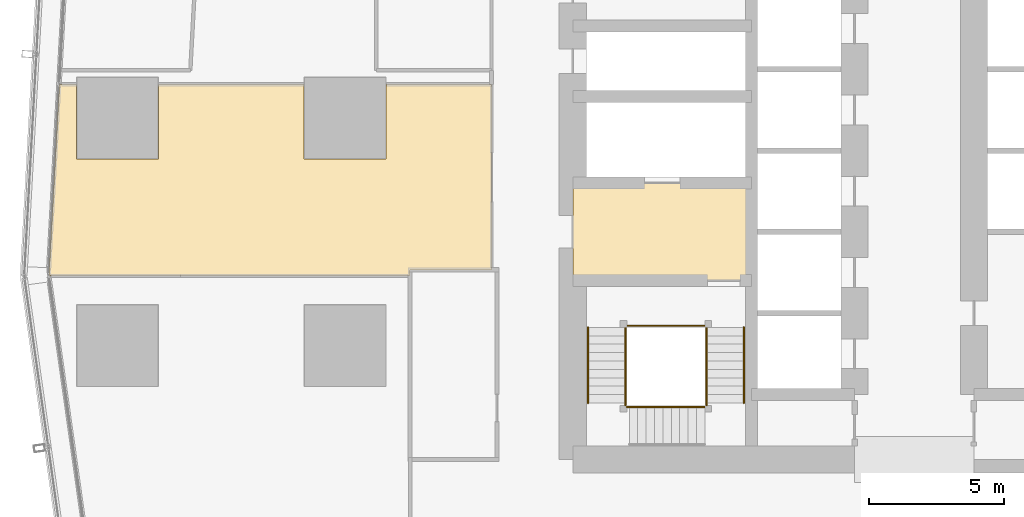
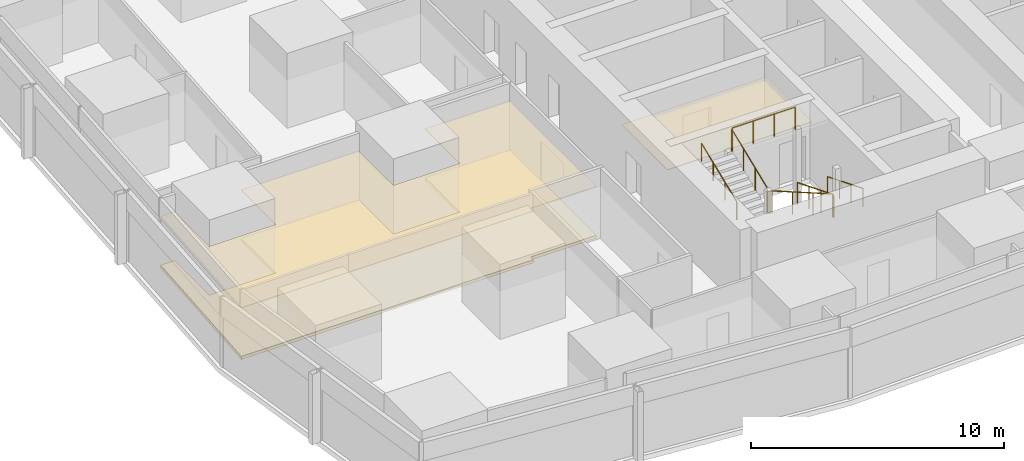
# One storey, part 32 of 38: 9 railings, 3 coverings.
"""IFC4 building model written with IfcOpenShell, lengths in metres."""

from ifc_helpers import new_model, si_unit, direction, frame, origin, origin_2d, place, context, subcontext, project, spatial, polyline, circle, outline, extrude, material, layer, layer_set, type_object, element, save


model = new_model("IFC4")

# Units and contexts
model_context = context("Model", 3, precision=1e-05, world=origin(), true_north=direction((0.0, 1.0)))
body_context = subcontext(model_context, "Body", "Model", "MODEL_VIEW")
ifc_project = project(units=[si_unit("LENGTHUNIT", "METRE"), si_unit("AREAUNIT", "SQUARE_METRE"), si_unit("VOLUMEUNIT", "CUBIC_METRE"), si_unit("PLANEANGLEUNIT", "RADIAN"), si_unit("MASSUNIT", "GRAM", prefix="KILO")], contexts=[model_context])

# Site, building, storey
site_placement = place(None, origin())
site = spatial("IfcSite", under=ifc_project, at=site_placement, CompositionType="ELEMENT")
building_placement = place(site_placement, origin())
building = spatial("IfcBuilding", under=site, at=building_placement, Name="Rekha Terrace Tower", CompositionType="ELEMENT")
storey_placement = place(building_placement, frame((0.0, 0.0, 159.050048828125)))
storey = spatial("IfcBuildingStorey", under=building, at=storey_placement, Name="L40", CompositionType="ELEMENT", Elevation=159.050048828125)

# Coverings
ifc_material_1 = material(Name="Mineral fibre tile in exposed grid", Category="finish")
ifc_layer_1 = layer(ifc_material_1, 0.02001953125)
ifc_layer_set_1 = layer_set([ifc_layer_1], Name="Mineral fibre tile in exposed grid")
covering_type_1 = type_object("IfcCoveringType", Name="CL1 600x1200 office grid ceiling", PredefinedType="CEILING", material=ifc_layer_set_1)
covering_1_placement = place(storey_placement, frame((0.0, 0.0, 2.47998046875)))
element("IfcCovering", 1, at=covering_1_placement, inside=storey, type_object=covering_type_1, Name="Ceiling L40-20", PredefinedType="CEILING", context=body_context, shape_type="SweptSolid", body=[
    extrude(outline(polyline([(19.199951171875, 27.781005859375), (19.199951171875, 28.0), (22.199951171875, 28.0), (22.199951171875, 34.833984375), (18.31494140625, 34.833984375), (18.31494140625, 32.0849609375), (15.284912109375, 32.0849609375), (15.284912109375, 34.833984375), (9.9150390625, 34.833984375), (9.9150390625, 32.0849609375), (6.885009765625, 32.0849609375), (6.885009765625, 34.833984375), (6.2490234375, 34.833984375), (5.862060546875, 27.781005859375), (19.199951171875, 27.781005859375)])), origin(), (0.0, 0.0, 1.0), 0.02001953125),
])
ifc_material_2 = material(Name="Powder-coated aluminium pan", Category="aluminium")
ifc_layer_2 = layer(ifc_material_2, 0.030029296875)
ifc_layer_set_2 = layer_set([ifc_layer_2], Name="Powder-coated aluminium pan")
covering_type_2 = type_object("IfcCoveringType", Name="CL3 300x1200 metal pan ceiling", PredefinedType="CEILING", material=ifc_layer_set_2)
covering_2_placement = place(storey_placement, frame((0.0, 0.0, 2.469970703125)))
element("IfcCovering", 2, at=covering_2_placement, inside=storey, type_object=covering_type_2, Name="Ceiling L40-FLB1", PredefinedType="CEILING", context=body_context, shape_type="SweptSolid", body=[
    extrude(outline(polyline([(31.800048828125, 31.199951171875), (25.199951171875, 31.199951171875), (25.199951171875, 27.60009765625), (31.800048828125, 27.60009765625), (31.800048828125, 31.199951171875)])), origin(), (0.0, 0.0, 1.0), 0.030029296875),
])

# Railings
ifc_material_3 = material(Name="Stainless steel balustrade", Category="steel")
railing_type_1 = type_object("IfcRailingType", Name="GR1 1100 stair guard", PredefinedType="GUARDRAIL", material=ifc_material_3)
railing_1_placement = place(storey_placement, frame((30.135009765625, 25.875, 0.125)))
element("IfcRailing", 3, at=railing_1_placement, inside=storey, type_object=railing_type_1, Name="Guard ST1 L40 flight 1", PredefinedType="GUARDRAIL", context=body_context, shape_type="SweptSolid", body=[
    extrude(circle(Radius=0.02392578125, at=origin_2d()), frame((0.0, 0.0, 1.076171875), z_axis=(0.0, -0.927443287984, 0.373963831907), x_axis=(1.0, 0.0, 0.0)), (0.0, 0.0, 1.0), 3.00830078125),
    extrude(circle(Radius=0.02099609375, at=origin_2d()), origin(), (0.0, 0.0, 1.0), 1.052001953125),
    extrude(circle(Radius=0.02099609375, at=origin_2d()), frame((0.0, -0.929931640625, 0.375)), (0.0, 0.0, 1.0), 1.052001953125),
    extrude(circle(Radius=0.02099609375, at=origin_2d()), frame((0.0, -1.860107421875, 0.75)), (0.0, 0.0, 1.0), 1.052001953125),
    extrude(circle(Radius=0.02099609375, at=origin_2d()), frame((0.0, -2.7900390625, 1.125)), (0.0, 0.0, 1.0), 1.052001953125),
])
railing_2_placement = place(storey_placement, frame((30.074951171875, 22.93994140625, 1.375)))
element("IfcRailing", 4, at=railing_2_placement, inside=storey, type_object=railing_type_1, Name="Guard ST1 L40 flight 2", PredefinedType="GUARDRAIL", context=body_context, shape_type="SweptSolid", body=[
    extrude(circle(Radius=0.02392578125, at=origin_2d()), frame((0.0, 0.0, 1.076171875), z_axis=(-0.927443287984, 0.0, 0.373963831907), x_axis=(0.0, -1.0, 0.0)), (0.0, 0.0, 1.0), 3.00830078125),
    extrude(circle(Radius=0.02099609375, at=origin_2d()), origin(), (0.0, 0.0, 1.0), 1.052001953125),
    extrude(circle(Radius=0.02099609375, at=origin_2d()), frame((-0.929931640625, 0.0, 0.375)), (0.0, 0.0, 1.0), 1.052001953125),
    extrude(circle(Radius=0.02099609375, at=origin_2d()), frame((-1.860107421875, 0.0, 0.75)), (0.0, 0.0, 1.0), 1.052001953125),
    extrude(circle(Radius=0.02099609375, at=origin_2d()), frame((-2.7900390625, 0.0, 1.125)), (0.0, 0.0, 1.0), 1.052001953125),
])
railing_3_placement = place(storey_placement, frame((27.139892578125, 23.0849609375, 2.625)))
element("IfcRailing", 5, at=railing_3_placement, inside=storey, type_object=railing_type_1, Name="Guard ST1 L40 flight 3", PredefinedType="GUARDRAIL", context=body_context, shape_type="SweptSolid", body=[
    extrude(circle(Radius=0.02392578125, at=origin_2d()), frame((0.0, 0.0, 1.076171875), z_axis=(0.0, 0.927443287984, 0.373963831907), x_axis=(-1.0, 0.0, 0.0)), (0.0, 0.0, 1.0), 3.00830078125),
    extrude(circle(Radius=0.02099609375, at=origin_2d()), origin(), (0.0, 0.0, 1.0), 1.052001953125),
    extrude(circle(Radius=0.02099609375, at=origin_2d()), frame((0.0, 0.929931640625, 0.375)), (0.0, 0.0, 1.0), 1.052001953125),
    extrude(circle(Radius=0.02099609375, at=origin_2d()), frame((0.0, 1.860107421875, 0.75)), (0.0, 0.0, 1.0), 1.052001953125),
    extrude(circle(Radius=0.02099609375, at=origin_2d()), frame((0.0, 2.7900390625, 1.125)), (0.0, 0.0, 1.0), 1.052001953125),
])
railing_4_placement = place(storey_placement, frame((30.135009765625, 23.0849609375, 1.25)))
element("IfcRailing", 6, at=railing_4_placement, inside=storey, type_object=railing_type_1, Name="Guard ST1 L40 landing 1", PredefinedType="GUARDRAIL", context=body_context, shape_type="SweptSolid", body=[
    extrude(circle(Radius=0.02392578125, at=origin_2d()), frame((0.0, 0.0, 1.076171875), z_axis=(0.0, -1.0, 0.0), x_axis=(1.0, 0.0, 0.0)), (0.0, 0.0, 1.0), 0.0849609375),
    extrude(circle(Radius=0.02099609375, at=origin_2d()), origin(), (0.0, 0.0, 1.0), 1.052001953125),
    extrude(circle(Radius=0.02099609375, at=origin_2d()), frame((0.0, -0.0849609375, 0.0)), (0.0, 0.0, 1.0), 1.052001953125),
])
railing_5_placement = place(storey_placement, frame((27.284912109375, 22.93994140625, 2.5)))
element("IfcRailing", 7, at=railing_5_placement, inside=storey, type_object=railing_type_1, Name="Guard ST1 L40 landing 2", PredefinedType="GUARDRAIL", context=body_context, shape_type="SweptSolid", body=[
    extrude(circle(Radius=0.02392578125, at=origin_2d()), frame((0.0, 0.0, 1.076171875), z_axis=(-1.0, 0.0, 0.0), x_axis=(0.0, -1.0, 0.0)), (0.0, 0.0, 1.0), 0.0849609375),
    extrude(circle(Radius=0.02099609375, at=origin_2d()), origin(), (0.0, 0.0, 1.0), 1.052001953125),
    extrude(circle(Radius=0.02099609375, at=origin_2d()), frame((-0.0849609375, 0.0, 0.0)), (0.0, 0.0, 1.0), 1.052001953125),
])
railing_6_placement = place(storey_placement, frame((27.139892578125, 23.0849609375, 2.5)))
element("IfcRailing", 8, at=railing_6_placement, inside=storey, type_object=railing_type_1, Name="Guard ST1 L40 landing 3", PredefinedType="GUARDRAIL", context=body_context, shape_type="SweptSolid", body=[
    extrude(circle(Radius=0.02392578125, at=origin_2d()), frame((0.0, 0.0, 1.076171875), z_axis=(0.0, -1.0, 0.0), x_axis=(1.0, 0.0, 0.0)), (0.0, 0.0, 1.0), 0.0849609375),
    extrude(circle(Radius=0.02099609375, at=origin_2d()), origin(), (0.0, 0.0, 1.0), 1.052001953125),
    extrude(circle(Radius=0.02099609375, at=origin_2d()), frame((0.0, -0.0849609375, 0.0)), (0.0, 0.0, 1.0), 1.052001953125),
])
railing_7_placement = place(storey_placement, frame((30.074951171875, 25.93505859375, 3.75)))
element("IfcRailing", 9, at=railing_7_placement, inside=storey, type_object=railing_type_1, Name="Guard ST1 L40 landing 4", PredefinedType="GUARDRAIL", context=body_context, shape_type="SweptSolid", body=[
    extrude(circle(Radius=0.02392578125, at=origin_2d()), frame((0.0, 0.0, 1.076171875), z_axis=(-1.0, 0.0, 0.0), x_axis=(0.0, -1.0, 0.0)), (0.0, 0.0, 1.0), 2.875),
    extrude(circle(Radius=0.02099609375, at=origin_2d()), origin(), (0.0, 0.0, 1.0), 1.052001953125),
    extrude(circle(Radius=0.02099609375, at=origin_2d()), frame((-0.958251953125, 0.0, 0.0)), (0.0, 0.0, 1.0), 1.052001953125),
    extrude(circle(Radius=0.02099609375, at=origin_2d()), frame((-1.916748046875, 0.0, 0.0)), (0.0, 0.0, 1.0), 1.052001953125),
    extrude(circle(Radius=0.02099609375, at=origin_2d()), frame((-2.875, 0.0, 0.0)), (0.0, 0.0, 1.0), 1.052001953125),
])
ifc_material_4 = material(Name="Stainless steel tube", Category="steel")
railing_type_2 = type_object("IfcRailingType", Name="HR1 900 stair handrail", PredefinedType="HANDRAIL", material=ifc_material_4)
railing_8_placement = place(storey_placement, frame((31.514892578125, 25.875, 0.125)))
element("IfcRailing", 10, at=railing_8_placement, inside=storey, type_object=railing_type_2, Name="Handrail ST1 L40 flight 1", PredefinedType="HANDRAIL", context=body_context, shape_type="SweptSolid", body=[
    extrude(circle(Radius=0.02392578125, at=origin_2d()), frame((0.0, 0.0, 0.8759765625), z_axis=(0.0, -0.927443287984, 0.373963831907), x_axis=(1.0, 0.0, 0.0)), (0.0, 0.0, 1.0), 3.00830078125),
    extrude(circle(Radius=0.02099609375, at=origin_2d()), origin(), (0.0, 0.0, 1.0), 0.851806640625),
    extrude(circle(Radius=0.02099609375, at=origin_2d()), frame((0.0, -0.929931640625, 0.375)), (0.0, 0.0, 1.0), 0.851806640625),
    extrude(circle(Radius=0.02099609375, at=origin_2d()), frame((0.0, -1.860107421875, 0.75)), (0.0, 0.0, 1.0), 0.851806640625),
    extrude(circle(Radius=0.02099609375, at=origin_2d()), frame((0.0, -2.7900390625, 1.125)), (0.0, 0.0, 1.0), 0.851806640625),
])
railing_9_placement = place(storey_placement, frame((25.760009765625, 23.0849609375, 2.625)))
element("IfcRailing", 11, at=railing_9_placement, inside=storey, type_object=railing_type_2, Name="Handrail ST1 L40 flight 3", PredefinedType="HANDRAIL", context=body_context, shape_type="SweptSolid", body=[
    extrude(circle(Radius=0.02392578125, at=origin_2d()), frame((0.0, 0.0, 0.8759765625), z_axis=(0.0, 0.927443287984, 0.373963831907), x_axis=(-1.0, 0.0, 0.0)), (0.0, 0.0, 1.0), 3.00830078125),
    extrude(circle(Radius=0.02099609375, at=origin_2d()), origin(), (0.0, 0.0, 1.0), 0.851806640625),
    extrude(circle(Radius=0.02099609375, at=origin_2d()), frame((0.0, 0.929931640625, 0.375)), (0.0, 0.0, 1.0), 0.851806640625),
    extrude(circle(Radius=0.02099609375, at=origin_2d()), frame((0.0, 1.860107421875, 0.75)), (0.0, 0.0, 1.0), 0.851806640625),
    extrude(circle(Radius=0.02099609375, at=origin_2d()), frame((0.0, 2.7900390625, 1.125)), (0.0, 0.0, 1.0), 0.851806640625),
])

# Covering
ifc_material_5 = material(Name="Calcium sulphate panels on steel pedestals", Category="steel")
ifc_layer_3 = layer(ifc_material_5, 0.14990234375)
ifc_layer_set_3 = layer_set([ifc_layer_3], Name="Calcium sulphate panels on steel pedestals")
covering_type_3 = type_object("IfcCoveringType", Name="RF1 150 raised access floor", PredefinedType="FLOORING", material=ifc_layer_set_3)
covering_3_placement = place(storey_placement, origin())
element("IfcCovering", 12, at=covering_3_placement, inside=storey, type_object=covering_type_3, Name="Raised floor L40-20", PredefinedType="FLOORING", context=body_context, shape_type="SweptSolid", body=[
    extrude(outline(polyline([(19.199951171875, 27.781005859375), (19.199951171875, 28.0), (22.199951171875, 28.0), (22.199951171875, 34.833984375), (18.31494140625, 34.833984375), (18.31494140625, 32.0849609375), (15.284912109375, 32.0849609375), (15.284912109375, 34.833984375), (9.9150390625, 34.833984375), (9.9150390625, 32.0849609375), (6.885009765625, 32.0849609375), (6.885009765625, 34.833984375), (6.2490234375, 34.833984375), (5.862060546875, 27.781005859375), (19.199951171875, 27.781005859375)])), origin(), (0.0, 0.0, 1.0), 0.14990234375),
])

save(model, "model.ifc")
